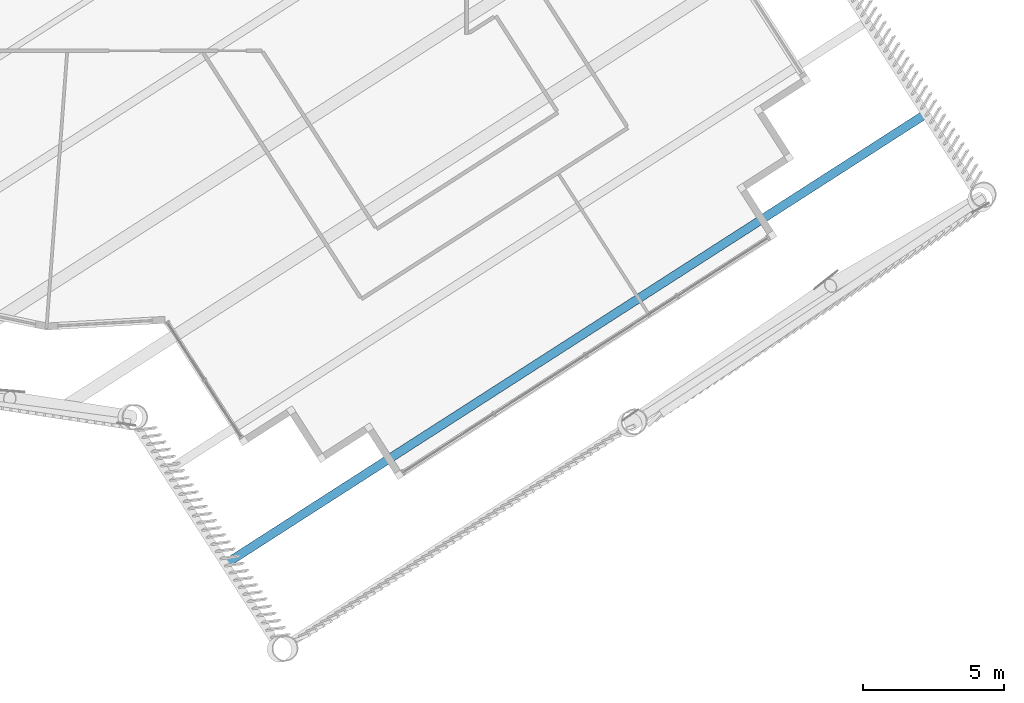
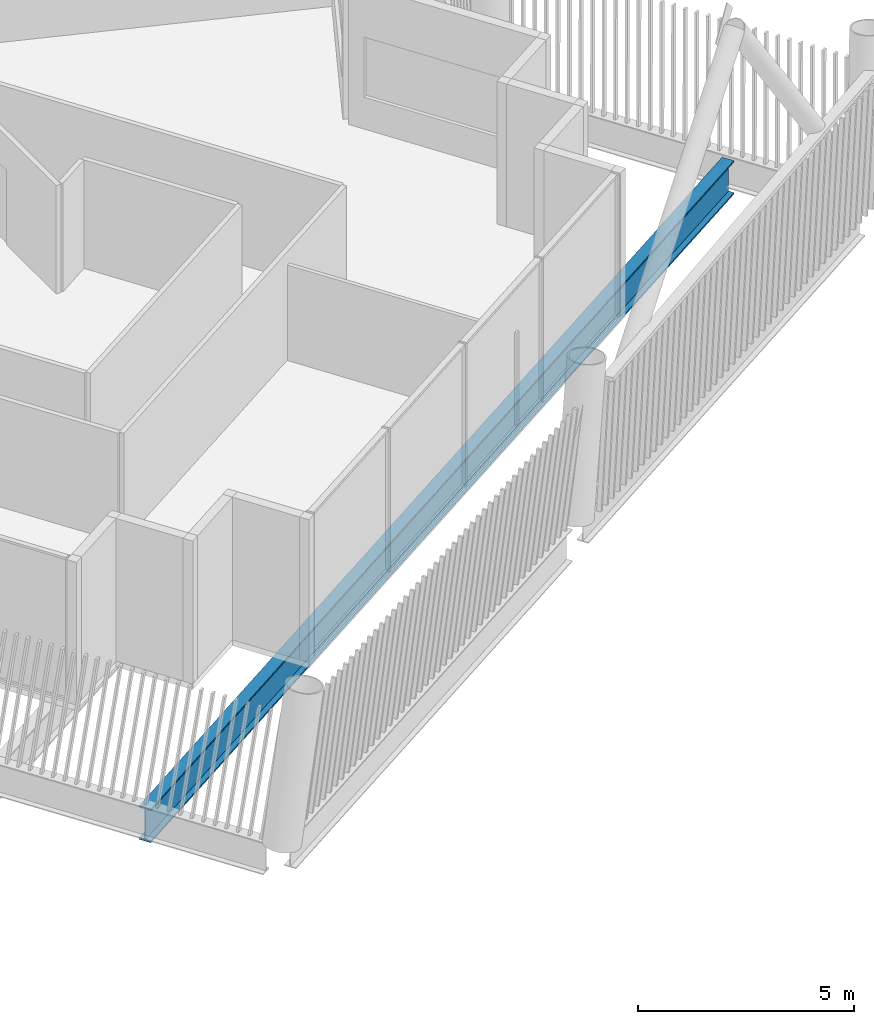
# One storey, part 8 of 35: 1 beam.
"""IFC4 building model written with IfcOpenShell, lengths in metres."""

from ifc_helpers import new_model, si_unit, direction, frame, origin, origin_2d, place, context, subcontext, project, spatial, i_section, extrude, material, material_profile, profile_set, type_object, element, save


model = new_model("IFC4")

# Units and contexts
model_context = context("Model", 3, precision=1e-05, world=origin(), true_north=direction((0.0, 1.0)))
body_context = subcontext(model_context, "Body", "Model", "MODEL_VIEW")
ifc_project = project(units=[si_unit("LENGTHUNIT", "METRE"), si_unit("AREAUNIT", "SQUARE_METRE"), si_unit("VOLUMEUNIT", "CUBIC_METRE"), si_unit("PLANEANGLEUNIT", "RADIAN"), si_unit("MASSUNIT", "GRAM", prefix="KILO")], contexts=[model_context])

# Site, building, storey
site_placement = place(None, origin())
site = spatial("IfcSite", under=ifc_project, at=site_placement, CompositionType="ELEMENT")
building_placement = place(site_placement, origin())
building = spatial("IfcBuilding", under=site, at=building_placement, Name="Tarsis Ring Headquarters", CompositionType="ELEMENT")
storey_placement = place(building_placement, frame((0.0, 0.0, 360.800048828125)))
storey = spatial("IfcBuildingStorey", under=building, at=storey_placement, Name="L85", CompositionType="ELEMENT", Elevation=360.800048828125)

# Beam
ifc_material = material(Name="Structural steel S355", Category="steel")
ifc_material_profile = material_profile(ifc_material, i_section(OverallWidth=0.309814453125, OverallDepth=0.949951171875, WebThickness=0.0244140625, FlangeThickness=0.0439453125, at=origin_2d()), Name="W36x256")
ifc_profile_set = profile_set([ifc_material_profile], Name="Structural steel S355")
beam_type = type_object("IfcBeamType", Name="FB Floor beam W36x256", PredefinedType="JOIST", material=ifc_profile_set)
beam_placement = place(storey_placement, frame((4.457275390625, -34.220947265625, -0.635009765625), z_axis=(0.841318832013, 0.540539196452, 0.0), x_axis=(-0.540539196452, 0.841318832013, 0.0)))
element("IfcBeam", 1, at=beam_placement, inside=storey, type_object=beam_type, Name="Floor beam FB11", PredefinedType="JOIST", context=body_context, shape_type="SweptSolid", body=[
    extrude(i_section(OverallWidth=0.309814453125, OverallDepth=0.949951171875, WebThickness=0.0244140625, FlangeThickness=0.0439453125, at=origin_2d()), origin(), (0.0, 0.0, 1.0), 29.495361328125),
])

save(model, "model.ifc")
